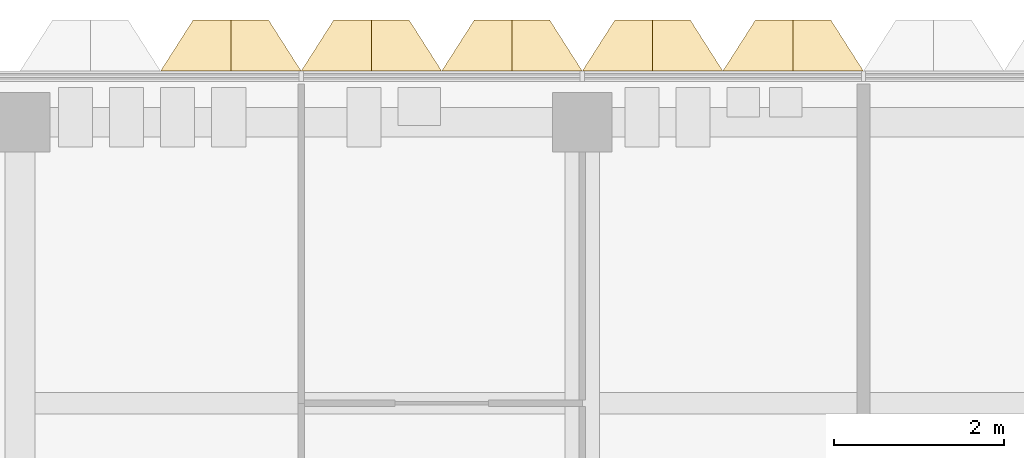
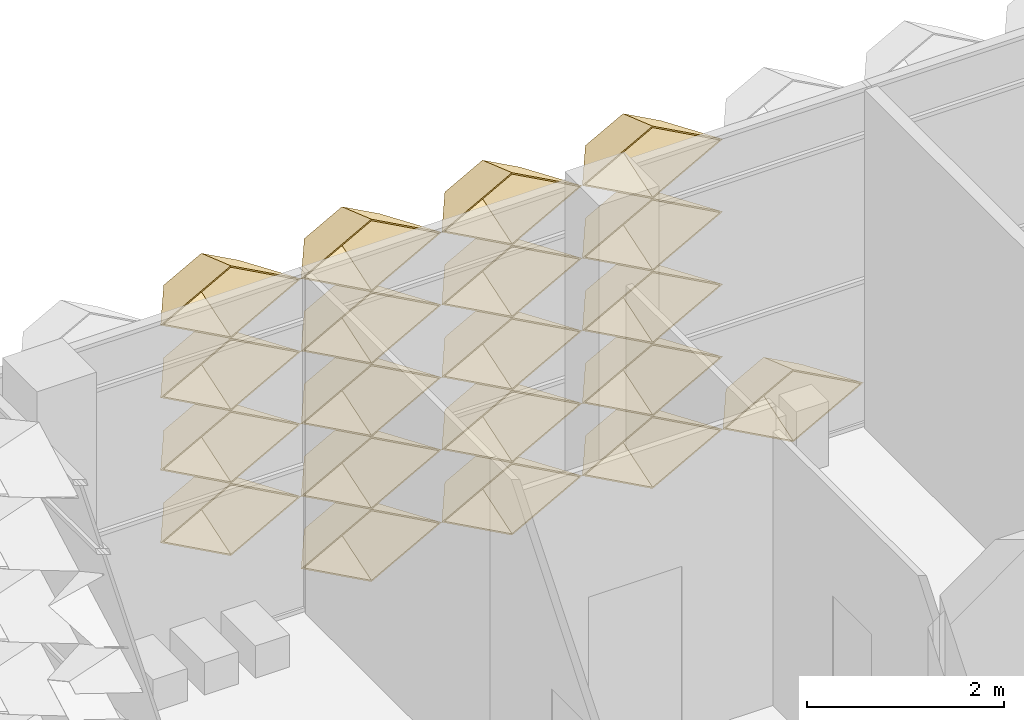
# One storey, part 24 of 28: 20 coverings.
"""IFC4 building model written with IfcOpenShell, lengths in metres."""

from ifc_helpers import new_model, entity, si_unit, direction, frame, origin, place, context, subcontext, project, spatial, material, layer, layer_set, type_object, element, save


model = new_model("IFC4")

# Units and contexts
model_context = context("Model", 3, precision=1e-05, world=origin(), true_north=direction((0.0, 1.0)))
body_context = subcontext(model_context, "Body", "Model", "MODEL_VIEW")
ifc_project = project(units=[si_unit("LENGTHUNIT", "METRE"), si_unit("AREAUNIT", "SQUARE_METRE"), si_unit("VOLUMEUNIT", "CUBIC_METRE"), si_unit("PLANEANGLEUNIT", "RADIAN"), si_unit("MASSUNIT", "GRAM", prefix="KILO")], contexts=[model_context])

# Site, building, storey
site_placement = place(None, origin())
site = spatial("IfcSite", under=ifc_project, at=site_placement, CompositionType="ELEMENT")
building_placement = place(site_placement, origin())
building = spatial("IfcBuilding", under=site, at=building_placement, Name="Lantern Court Research Institute", CompositionType="ELEMENT")
storey_placement = place(building_placement, frame((0.0, 0.0, 36.89990234375)))
storey = spatial("IfcBuildingStorey", under=building, at=storey_placement, Name="L08", CompositionType="ELEMENT", Elevation=36.89990234375)

# Coverings
ifc_material = material(Name="Anodised aluminium", Category="aluminium")
ifc_layer = layer(ifc_material, 0.01611328125)
ifc_layer_set = layer_set([ifc_layer], Name="Anodised aluminium")
covering_type = type_object("IfcCoveringType", Name="Fin cassette 1650 x 900 x 600 aluminium", PredefinedType="CLADDING", material=ifc_layer_set)
covering_1_placement = place(storey_placement, frame((56.925048828125, 23.699951171875, 0.4501953125), z_axis=(0.0, 1.0, 0.0), x_axis=(-1.0, 0.0, 0.0)))
cartesian_point_1 = entity("IfcCartesianPoint", [0.824951171875, 0.0])
cartesian_point_2 = entity("IfcCartesianPoint", [0.79150390625, 0.0])
cartesian_point_3 = entity("IfcCartesianPoint", [0.44189453125, 0.0])
cartesian_point_4 = entity("IfcCartesianPoint", [0.43359375, 0.0])
element("IfcCovering", 1, at=covering_1_placement, inside=storey, type_object=covering_type, Name="Fin cassette V5N-L08 1.35", PredefinedType="CLADDING", context=body_context, shape_type="SweptSolid", body=[
    entity("IfcExtrudedAreaSolidTapered", entity("IfcArbitraryProfileDefWithVoids", "AREA", None, entity("IfcPolyline", [cartesian_point_1, entity("IfcCartesianPoint", [0.0, 0.449951171875]), entity("IfcCartesianPoint", [-0.824951171875, 0.0]), entity("IfcCartesianPoint", [0.0, -0.449951171875]), cartesian_point_1]), [entity("IfcPolyline", [cartesian_point_2, entity("IfcCartesianPoint", [0.0, 0.431884765625]), entity("IfcCartesianPoint", [-0.79150390625, 0.0]), entity("IfcCartesianPoint", [0.0, -0.431884765625]), cartesian_point_2])]), entity("IfcAxis2Placement3D", entity("IfcCartesianPoint", [0.0, 0.0, 0.0])), entity("IfcDirection", [0.0, 0.0, 1.0]), 0.60009765625, entity("IfcArbitraryProfileDefWithVoids", "AREA", None, entity("IfcPolyline", [cartesian_point_3, entity("IfcCartesianPoint", [0.0, 0.240966796875]), entity("IfcCartesianPoint", [-0.44189453125, 0.0]), entity("IfcCartesianPoint", [0.0, -0.240966796875]), cartesian_point_3]), [entity("IfcPolyline", [cartesian_point_4, entity("IfcCartesianPoint", [0.0, 0.236572265625]), entity("IfcCartesianPoint", [-0.43359375, 0.0]), entity("IfcCartesianPoint", [0.0, -0.236572265625]), cartesian_point_4])])),
])
covering_2_placement = place(storey_placement, frame((58.574951171875, 23.699951171875, 0.4501953125), z_axis=(0.0, 1.0, 0.0), x_axis=(-1.0, 0.0, 0.0)))
cartesian_point_5 = entity("IfcCartesianPoint", [0.824951171875, 0.0])
cartesian_point_6 = entity("IfcCartesianPoint", [0.79150390625, 0.0])
cartesian_point_7 = entity("IfcCartesianPoint", [0.44189453125, 0.0])
cartesian_point_8 = entity("IfcCartesianPoint", [0.43359375, 0.0])
element("IfcCovering", 2, at=covering_2_placement, inside=storey, type_object=covering_type, Name="Fin cassette V5N-L08 1.36", PredefinedType="CLADDING", context=body_context, shape_type="SweptSolid", body=[
    entity("IfcExtrudedAreaSolidTapered", entity("IfcArbitraryProfileDefWithVoids", "AREA", None, entity("IfcPolyline", [cartesian_point_5, entity("IfcCartesianPoint", [0.0, 0.449951171875]), entity("IfcCartesianPoint", [-0.824951171875, 0.0]), entity("IfcCartesianPoint", [0.0, -0.449951171875]), cartesian_point_5]), [entity("IfcPolyline", [cartesian_point_6, entity("IfcCartesianPoint", [0.0, 0.431884765625]), entity("IfcCartesianPoint", [-0.79150390625, 0.0]), entity("IfcCartesianPoint", [0.0, -0.431884765625]), cartesian_point_6])]), entity("IfcAxis2Placement3D", entity("IfcCartesianPoint", [0.0, 0.0, 0.0])), entity("IfcDirection", [0.0, 0.0, 1.0]), 0.60009765625, entity("IfcArbitraryProfileDefWithVoids", "AREA", None, entity("IfcPolyline", [cartesian_point_7, entity("IfcCartesianPoint", [0.0, 0.240966796875]), entity("IfcCartesianPoint", [-0.44189453125, 0.0]), entity("IfcCartesianPoint", [0.0, -0.240966796875]), cartesian_point_7]), [entity("IfcPolyline", [cartesian_point_8, entity("IfcCartesianPoint", [0.0, 0.236572265625]), entity("IfcCartesianPoint", [-0.43359375, 0.0]), entity("IfcCartesianPoint", [0.0, -0.236572265625]), cartesian_point_8])])),
])
covering_3_placement = place(storey_placement, frame((60.22509765625, 23.699951171875, 0.4501953125), z_axis=(0.0, 1.0, 0.0), x_axis=(-1.0, 0.0, 0.0)))
cartesian_point_9 = entity("IfcCartesianPoint", [0.824951171875, 0.0])
cartesian_point_10 = entity("IfcCartesianPoint", [0.79150390625, 0.0])
cartesian_point_11 = entity("IfcCartesianPoint", [0.44189453125, 0.0])
cartesian_point_12 = entity("IfcCartesianPoint", [0.43359375, 0.0])
element("IfcCovering", 3, at=covering_3_placement, inside=storey, type_object=covering_type, Name="Fin cassette V5N-L08 1.37", PredefinedType="CLADDING", context=body_context, shape_type="SweptSolid", body=[
    entity("IfcExtrudedAreaSolidTapered", entity("IfcArbitraryProfileDefWithVoids", "AREA", None, entity("IfcPolyline", [cartesian_point_9, entity("IfcCartesianPoint", [0.0, 0.449951171875]), entity("IfcCartesianPoint", [-0.824951171875, 0.0]), entity("IfcCartesianPoint", [0.0, -0.449951171875]), cartesian_point_9]), [entity("IfcPolyline", [cartesian_point_10, entity("IfcCartesianPoint", [0.0, 0.431884765625]), entity("IfcCartesianPoint", [-0.79150390625, 0.0]), entity("IfcCartesianPoint", [0.0, -0.431884765625]), cartesian_point_10])]), entity("IfcAxis2Placement3D", entity("IfcCartesianPoint", [0.0, 0.0, 0.0])), entity("IfcDirection", [0.0, 0.0, 1.0]), 0.60009765625, entity("IfcArbitraryProfileDefWithVoids", "AREA", None, entity("IfcPolyline", [cartesian_point_11, entity("IfcCartesianPoint", [0.0, 0.240966796875]), entity("IfcCartesianPoint", [-0.44189453125, 0.0]), entity("IfcCartesianPoint", [0.0, -0.240966796875]), cartesian_point_11]), [entity("IfcPolyline", [cartesian_point_12, entity("IfcCartesianPoint", [0.0, 0.236572265625]), entity("IfcCartesianPoint", [-0.43359375, 0.0]), entity("IfcCartesianPoint", [0.0, -0.236572265625]), cartesian_point_12])])),
])
covering_4_placement = place(storey_placement, frame((61.875, 23.699951171875, 0.4501953125), z_axis=(0.0, 1.0, 0.0), x_axis=(-1.0, 0.0, 0.0)))
cartesian_point_13 = entity("IfcCartesianPoint", [0.824951171875, 0.0])
cartesian_point_14 = entity("IfcCartesianPoint", [0.79150390625, 0.0])
cartesian_point_15 = entity("IfcCartesianPoint", [0.44189453125, 0.0])
cartesian_point_16 = entity("IfcCartesianPoint", [0.43359375, 0.0])
element("IfcCovering", 4, at=covering_4_placement, inside=storey, type_object=covering_type, Name="Fin cassette V5N-L08 1.38", PredefinedType="CLADDING", context=body_context, shape_type="SweptSolid", body=[
    entity("IfcExtrudedAreaSolidTapered", entity("IfcArbitraryProfileDefWithVoids", "AREA", None, entity("IfcPolyline", [cartesian_point_13, entity("IfcCartesianPoint", [0.0, 0.449951171875]), entity("IfcCartesianPoint", [-0.824951171875, 0.0]), entity("IfcCartesianPoint", [0.0, -0.449951171875]), cartesian_point_13]), [entity("IfcPolyline", [cartesian_point_14, entity("IfcCartesianPoint", [0.0, 0.431884765625]), entity("IfcCartesianPoint", [-0.79150390625, 0.0]), entity("IfcCartesianPoint", [0.0, -0.431884765625]), cartesian_point_14])]), entity("IfcAxis2Placement3D", entity("IfcCartesianPoint", [0.0, 0.0, 0.0])), entity("IfcDirection", [0.0, 0.0, 1.0]), 0.60009765625, entity("IfcArbitraryProfileDefWithVoids", "AREA", None, entity("IfcPolyline", [cartesian_point_15, entity("IfcCartesianPoint", [0.0, 0.240966796875]), entity("IfcCartesianPoint", [-0.44189453125, 0.0]), entity("IfcCartesianPoint", [0.0, -0.240966796875]), cartesian_point_15]), [entity("IfcPolyline", [cartesian_point_16, entity("IfcCartesianPoint", [0.0, 0.236572265625]), entity("IfcCartesianPoint", [-0.43359375, 0.0]), entity("IfcCartesianPoint", [0.0, -0.236572265625]), cartesian_point_16])])),
])
covering_5_placement = place(storey_placement, frame((55.27490234375, 23.699951171875, 1.35009765625), z_axis=(0.0, 1.0, 0.0), x_axis=(-1.0, 0.0, 0.0)))
cartesian_point_17 = entity("IfcCartesianPoint", [0.824951171875, 0.0])
cartesian_point_18 = entity("IfcCartesianPoint", [0.79150390625, 0.0])
cartesian_point_19 = entity("IfcCartesianPoint", [0.44189453125, 0.0])
cartesian_point_20 = entity("IfcCartesianPoint", [0.43359375, 0.0])
element("IfcCovering", 5, at=covering_5_placement, inside=storey, type_object=covering_type, Name="Fin cassette V5N-L08 2.34", PredefinedType="CLADDING", context=body_context, shape_type="SweptSolid", body=[
    entity("IfcExtrudedAreaSolidTapered", entity("IfcArbitraryProfileDefWithVoids", "AREA", None, entity("IfcPolyline", [cartesian_point_17, entity("IfcCartesianPoint", [0.0, 0.449951171875]), entity("IfcCartesianPoint", [-0.824951171875, 0.0]), entity("IfcCartesianPoint", [0.0, -0.449951171875]), cartesian_point_17]), [entity("IfcPolyline", [cartesian_point_18, entity("IfcCartesianPoint", [0.0, 0.431884765625]), entity("IfcCartesianPoint", [-0.79150390625, 0.0]), entity("IfcCartesianPoint", [0.0, -0.431884765625]), cartesian_point_18])]), entity("IfcAxis2Placement3D", entity("IfcCartesianPoint", [0.0, 0.0, 0.0])), entity("IfcDirection", [0.0, 0.0, 1.0]), 0.60009765625, entity("IfcArbitraryProfileDefWithVoids", "AREA", None, entity("IfcPolyline", [cartesian_point_19, entity("IfcCartesianPoint", [0.0, 0.240966796875]), entity("IfcCartesianPoint", [-0.44189453125, 0.0]), entity("IfcCartesianPoint", [0.0, -0.240966796875]), cartesian_point_19]), [entity("IfcPolyline", [cartesian_point_20, entity("IfcCartesianPoint", [0.0, 0.236572265625]), entity("IfcCartesianPoint", [-0.43359375, 0.0]), entity("IfcCartesianPoint", [0.0, -0.236572265625]), cartesian_point_20])])),
])
covering_6_placement = place(storey_placement, frame((56.925048828125, 23.699951171875, 1.35009765625), z_axis=(0.0, 1.0, 0.0), x_axis=(-1.0, 0.0, 0.0)))
cartesian_point_21 = entity("IfcCartesianPoint", [0.824951171875, 0.0])
cartesian_point_22 = entity("IfcCartesianPoint", [0.79150390625, 0.0])
cartesian_point_23 = entity("IfcCartesianPoint", [0.44189453125, 0.0])
cartesian_point_24 = entity("IfcCartesianPoint", [0.43359375, 0.0])
element("IfcCovering", 6, at=covering_6_placement, inside=storey, type_object=covering_type, Name="Fin cassette V5N-L08 2.35", PredefinedType="CLADDING", context=body_context, shape_type="SweptSolid", body=[
    entity("IfcExtrudedAreaSolidTapered", entity("IfcArbitraryProfileDefWithVoids", "AREA", None, entity("IfcPolyline", [cartesian_point_21, entity("IfcCartesianPoint", [0.0, 0.449951171875]), entity("IfcCartesianPoint", [-0.824951171875, 0.0]), entity("IfcCartesianPoint", [0.0, -0.449951171875]), cartesian_point_21]), [entity("IfcPolyline", [cartesian_point_22, entity("IfcCartesianPoint", [0.0, 0.431884765625]), entity("IfcCartesianPoint", [-0.79150390625, 0.0]), entity("IfcCartesianPoint", [0.0, -0.431884765625]), cartesian_point_22])]), entity("IfcAxis2Placement3D", entity("IfcCartesianPoint", [0.0, 0.0, 0.0])), entity("IfcDirection", [0.0, 0.0, 1.0]), 0.60009765625, entity("IfcArbitraryProfileDefWithVoids", "AREA", None, entity("IfcPolyline", [cartesian_point_23, entity("IfcCartesianPoint", [0.0, 0.240966796875]), entity("IfcCartesianPoint", [-0.44189453125, 0.0]), entity("IfcCartesianPoint", [0.0, -0.240966796875]), cartesian_point_23]), [entity("IfcPolyline", [cartesian_point_24, entity("IfcCartesianPoint", [0.0, 0.236572265625]), entity("IfcCartesianPoint", [-0.43359375, 0.0]), entity("IfcCartesianPoint", [0.0, -0.236572265625]), cartesian_point_24])])),
])
covering_7_placement = place(storey_placement, frame((58.574951171875, 23.699951171875, 1.35009765625), z_axis=(0.0, 1.0, 0.0), x_axis=(-1.0, 0.0, 0.0)))
cartesian_point_25 = entity("IfcCartesianPoint", [0.824951171875, 0.0])
cartesian_point_26 = entity("IfcCartesianPoint", [0.79150390625, 0.0])
cartesian_point_27 = entity("IfcCartesianPoint", [0.44189453125, 0.0])
cartesian_point_28 = entity("IfcCartesianPoint", [0.43359375, 0.0])
element("IfcCovering", 7, at=covering_7_placement, inside=storey, type_object=covering_type, Name="Fin cassette V5N-L08 2.36", PredefinedType="CLADDING", context=body_context, shape_type="SweptSolid", body=[
    entity("IfcExtrudedAreaSolidTapered", entity("IfcArbitraryProfileDefWithVoids", "AREA", None, entity("IfcPolyline", [cartesian_point_25, entity("IfcCartesianPoint", [0.0, 0.449951171875]), entity("IfcCartesianPoint", [-0.824951171875, 0.0]), entity("IfcCartesianPoint", [0.0, -0.449951171875]), cartesian_point_25]), [entity("IfcPolyline", [cartesian_point_26, entity("IfcCartesianPoint", [0.0, 0.431884765625]), entity("IfcCartesianPoint", [-0.79150390625, 0.0]), entity("IfcCartesianPoint", [0.0, -0.431884765625]), cartesian_point_26])]), entity("IfcAxis2Placement3D", entity("IfcCartesianPoint", [0.0, 0.0, 0.0])), entity("IfcDirection", [0.0, 0.0, 1.0]), 0.60009765625, entity("IfcArbitraryProfileDefWithVoids", "AREA", None, entity("IfcPolyline", [cartesian_point_27, entity("IfcCartesianPoint", [0.0, 0.240966796875]), entity("IfcCartesianPoint", [-0.44189453125, 0.0]), entity("IfcCartesianPoint", [0.0, -0.240966796875]), cartesian_point_27]), [entity("IfcPolyline", [cartesian_point_28, entity("IfcCartesianPoint", [0.0, 0.236572265625]), entity("IfcCartesianPoint", [-0.43359375, 0.0]), entity("IfcCartesianPoint", [0.0, -0.236572265625]), cartesian_point_28])])),
])
covering_8_placement = place(storey_placement, frame((60.22509765625, 23.699951171875, 1.35009765625), z_axis=(0.0, 1.0, 0.0), x_axis=(-1.0, 0.0, 0.0)))
cartesian_point_29 = entity("IfcCartesianPoint", [0.824951171875, 0.0])
cartesian_point_30 = entity("IfcCartesianPoint", [0.79150390625, 0.0])
cartesian_point_31 = entity("IfcCartesianPoint", [0.44189453125, 0.0])
cartesian_point_32 = entity("IfcCartesianPoint", [0.43359375, 0.0])
element("IfcCovering", 8, at=covering_8_placement, inside=storey, type_object=covering_type, Name="Fin cassette V5N-L08 2.37", PredefinedType="CLADDING", context=body_context, shape_type="SweptSolid", body=[
    entity("IfcExtrudedAreaSolidTapered", entity("IfcArbitraryProfileDefWithVoids", "AREA", None, entity("IfcPolyline", [cartesian_point_29, entity("IfcCartesianPoint", [0.0, 0.449951171875]), entity("IfcCartesianPoint", [-0.824951171875, 0.0]), entity("IfcCartesianPoint", [0.0, -0.449951171875]), cartesian_point_29]), [entity("IfcPolyline", [cartesian_point_30, entity("IfcCartesianPoint", [0.0, 0.431884765625]), entity("IfcCartesianPoint", [-0.79150390625, 0.0]), entity("IfcCartesianPoint", [0.0, -0.431884765625]), cartesian_point_30])]), entity("IfcAxis2Placement3D", entity("IfcCartesianPoint", [0.0, 0.0, 0.0])), entity("IfcDirection", [0.0, 0.0, 1.0]), 0.60009765625, entity("IfcArbitraryProfileDefWithVoids", "AREA", None, entity("IfcPolyline", [cartesian_point_31, entity("IfcCartesianPoint", [0.0, 0.240966796875]), entity("IfcCartesianPoint", [-0.44189453125, 0.0]), entity("IfcCartesianPoint", [0.0, -0.240966796875]), cartesian_point_31]), [entity("IfcPolyline", [cartesian_point_32, entity("IfcCartesianPoint", [0.0, 0.236572265625]), entity("IfcCartesianPoint", [-0.43359375, 0.0]), entity("IfcCartesianPoint", [0.0, -0.236572265625]), cartesian_point_32])])),
])
covering_9_placement = place(storey_placement, frame((55.27490234375, 23.699951171875, 2.25), z_axis=(0.0, 1.0, 0.0), x_axis=(-1.0, 0.0, 0.0)))
cartesian_point_33 = entity("IfcCartesianPoint", [0.824951171875, 0.0])
cartesian_point_34 = entity("IfcCartesianPoint", [0.79150390625, 0.0])
cartesian_point_35 = entity("IfcCartesianPoint", [0.44189453125, 0.0])
cartesian_point_36 = entity("IfcCartesianPoint", [0.43359375, 0.0])
element("IfcCovering", 9, at=covering_9_placement, inside=storey, type_object=covering_type, Name="Fin cassette V5N-L08 3.34", PredefinedType="CLADDING", context=body_context, shape_type="SweptSolid", body=[
    entity("IfcExtrudedAreaSolidTapered", entity("IfcArbitraryProfileDefWithVoids", "AREA", None, entity("IfcPolyline", [cartesian_point_33, entity("IfcCartesianPoint", [0.0, 0.449951171875]), entity("IfcCartesianPoint", [-0.824951171875, 0.0]), entity("IfcCartesianPoint", [0.0, -0.449951171875]), cartesian_point_33]), [entity("IfcPolyline", [cartesian_point_34, entity("IfcCartesianPoint", [0.0, 0.431884765625]), entity("IfcCartesianPoint", [-0.79150390625, 0.0]), entity("IfcCartesianPoint", [0.0, -0.431884765625]), cartesian_point_34])]), entity("IfcAxis2Placement3D", entity("IfcCartesianPoint", [0.0, 0.0, 0.0])), entity("IfcDirection", [0.0, 0.0, 1.0]), 0.60009765625, entity("IfcArbitraryProfileDefWithVoids", "AREA", None, entity("IfcPolyline", [cartesian_point_35, entity("IfcCartesianPoint", [0.0, 0.240966796875]), entity("IfcCartesianPoint", [-0.44189453125, 0.0]), entity("IfcCartesianPoint", [0.0, -0.240966796875]), cartesian_point_35]), [entity("IfcPolyline", [cartesian_point_36, entity("IfcCartesianPoint", [0.0, 0.236572265625]), entity("IfcCartesianPoint", [-0.43359375, 0.0]), entity("IfcCartesianPoint", [0.0, -0.236572265625]), cartesian_point_36])])),
])
covering_10_placement = place(storey_placement, frame((56.925048828125, 23.699951171875, 2.25), z_axis=(0.0, 1.0, 0.0), x_axis=(-1.0, 0.0, 0.0)))
cartesian_point_37 = entity("IfcCartesianPoint", [0.824951171875, 0.0])
cartesian_point_38 = entity("IfcCartesianPoint", [0.79150390625, 0.0])
cartesian_point_39 = entity("IfcCartesianPoint", [0.44189453125, 0.0])
cartesian_point_40 = entity("IfcCartesianPoint", [0.43359375, 0.0])
element("IfcCovering", 10, at=covering_10_placement, inside=storey, type_object=covering_type, Name="Fin cassette V5N-L08 3.35", PredefinedType="CLADDING", context=body_context, shape_type="SweptSolid", body=[
    entity("IfcExtrudedAreaSolidTapered", entity("IfcArbitraryProfileDefWithVoids", "AREA", None, entity("IfcPolyline", [cartesian_point_37, entity("IfcCartesianPoint", [0.0, 0.449951171875]), entity("IfcCartesianPoint", [-0.824951171875, 0.0]), entity("IfcCartesianPoint", [0.0, -0.449951171875]), cartesian_point_37]), [entity("IfcPolyline", [cartesian_point_38, entity("IfcCartesianPoint", [0.0, 0.431884765625]), entity("IfcCartesianPoint", [-0.79150390625, 0.0]), entity("IfcCartesianPoint", [0.0, -0.431884765625]), cartesian_point_38])]), entity("IfcAxis2Placement3D", entity("IfcCartesianPoint", [0.0, 0.0, 0.0])), entity("IfcDirection", [0.0, 0.0, 1.0]), 0.60009765625, entity("IfcArbitraryProfileDefWithVoids", "AREA", None, entity("IfcPolyline", [cartesian_point_39, entity("IfcCartesianPoint", [0.0, 0.240966796875]), entity("IfcCartesianPoint", [-0.44189453125, 0.0]), entity("IfcCartesianPoint", [0.0, -0.240966796875]), cartesian_point_39]), [entity("IfcPolyline", [cartesian_point_40, entity("IfcCartesianPoint", [0.0, 0.236572265625]), entity("IfcCartesianPoint", [-0.43359375, 0.0]), entity("IfcCartesianPoint", [0.0, -0.236572265625]), cartesian_point_40])])),
])
covering_11_placement = place(storey_placement, frame((58.574951171875, 23.699951171875, 2.25), z_axis=(0.0, 1.0, 0.0), x_axis=(-1.0, 0.0, 0.0)))
cartesian_point_41 = entity("IfcCartesianPoint", [0.824951171875, 0.0])
cartesian_point_42 = entity("IfcCartesianPoint", [0.79150390625, 0.0])
cartesian_point_43 = entity("IfcCartesianPoint", [0.44189453125, 0.0])
cartesian_point_44 = entity("IfcCartesianPoint", [0.43359375, 0.0])
element("IfcCovering", 11, at=covering_11_placement, inside=storey, type_object=covering_type, Name="Fin cassette V5N-L08 3.36", PredefinedType="CLADDING", context=body_context, shape_type="SweptSolid", body=[
    entity("IfcExtrudedAreaSolidTapered", entity("IfcArbitraryProfileDefWithVoids", "AREA", None, entity("IfcPolyline", [cartesian_point_41, entity("IfcCartesianPoint", [0.0, 0.449951171875]), entity("IfcCartesianPoint", [-0.824951171875, 0.0]), entity("IfcCartesianPoint", [0.0, -0.449951171875]), cartesian_point_41]), [entity("IfcPolyline", [cartesian_point_42, entity("IfcCartesianPoint", [0.0, 0.431884765625]), entity("IfcCartesianPoint", [-0.79150390625, 0.0]), entity("IfcCartesianPoint", [0.0, -0.431884765625]), cartesian_point_42])]), entity("IfcAxis2Placement3D", entity("IfcCartesianPoint", [0.0, 0.0, 0.0])), entity("IfcDirection", [0.0, 0.0, 1.0]), 0.60009765625, entity("IfcArbitraryProfileDefWithVoids", "AREA", None, entity("IfcPolyline", [cartesian_point_43, entity("IfcCartesianPoint", [0.0, 0.240966796875]), entity("IfcCartesianPoint", [-0.44189453125, 0.0]), entity("IfcCartesianPoint", [0.0, -0.240966796875]), cartesian_point_43]), [entity("IfcPolyline", [cartesian_point_44, entity("IfcCartesianPoint", [0.0, 0.236572265625]), entity("IfcCartesianPoint", [-0.43359375, 0.0]), entity("IfcCartesianPoint", [0.0, -0.236572265625]), cartesian_point_44])])),
])
covering_12_placement = place(storey_placement, frame((60.22509765625, 23.699951171875, 2.25), z_axis=(0.0, 1.0, 0.0), x_axis=(-1.0, 0.0, 0.0)))
cartesian_point_45 = entity("IfcCartesianPoint", [0.824951171875, 0.0])
cartesian_point_46 = entity("IfcCartesianPoint", [0.79150390625, 0.0])
cartesian_point_47 = entity("IfcCartesianPoint", [0.44189453125, 0.0])
cartesian_point_48 = entity("IfcCartesianPoint", [0.43359375, 0.0])
element("IfcCovering", 12, at=covering_12_placement, inside=storey, type_object=covering_type, Name="Fin cassette V5N-L08 3.37", PredefinedType="CLADDING", context=body_context, shape_type="SweptSolid", body=[
    entity("IfcExtrudedAreaSolidTapered", entity("IfcArbitraryProfileDefWithVoids", "AREA", None, entity("IfcPolyline", [cartesian_point_45, entity("IfcCartesianPoint", [0.0, 0.449951171875]), entity("IfcCartesianPoint", [-0.824951171875, 0.0]), entity("IfcCartesianPoint", [0.0, -0.449951171875]), cartesian_point_45]), [entity("IfcPolyline", [cartesian_point_46, entity("IfcCartesianPoint", [0.0, 0.431884765625]), entity("IfcCartesianPoint", [-0.79150390625, 0.0]), entity("IfcCartesianPoint", [0.0, -0.431884765625]), cartesian_point_46])]), entity("IfcAxis2Placement3D", entity("IfcCartesianPoint", [0.0, 0.0, 0.0])), entity("IfcDirection", [0.0, 0.0, 1.0]), 0.60009765625, entity("IfcArbitraryProfileDefWithVoids", "AREA", None, entity("IfcPolyline", [cartesian_point_47, entity("IfcCartesianPoint", [0.0, 0.240966796875]), entity("IfcCartesianPoint", [-0.44189453125, 0.0]), entity("IfcCartesianPoint", [0.0, -0.240966796875]), cartesian_point_47]), [entity("IfcPolyline", [cartesian_point_48, entity("IfcCartesianPoint", [0.0, 0.236572265625]), entity("IfcCartesianPoint", [-0.43359375, 0.0]), entity("IfcCartesianPoint", [0.0, -0.236572265625]), cartesian_point_48])])),
])
covering_13_placement = place(storey_placement, frame((55.27490234375, 23.699951171875, 3.150146484375), z_axis=(0.0, 1.0, 0.0), x_axis=(-1.0, 0.0, 0.0)))
cartesian_point_49 = entity("IfcCartesianPoint", [0.824951171875, 0.0])
cartesian_point_50 = entity("IfcCartesianPoint", [0.79150390625, 0.0])
cartesian_point_51 = entity("IfcCartesianPoint", [0.44189453125, 0.0])
cartesian_point_52 = entity("IfcCartesianPoint", [0.43359375, 0.0])
element("IfcCovering", 13, at=covering_13_placement, inside=storey, type_object=covering_type, Name="Fin cassette V5N-L08 4.34", PredefinedType="CLADDING", context=body_context, shape_type="SweptSolid", body=[
    entity("IfcExtrudedAreaSolidTapered", entity("IfcArbitraryProfileDefWithVoids", "AREA", None, entity("IfcPolyline", [cartesian_point_49, entity("IfcCartesianPoint", [0.0, 0.449951171875]), entity("IfcCartesianPoint", [-0.824951171875, 0.0]), entity("IfcCartesianPoint", [0.0, -0.449951171875]), cartesian_point_49]), [entity("IfcPolyline", [cartesian_point_50, entity("IfcCartesianPoint", [0.0, 0.431884765625]), entity("IfcCartesianPoint", [-0.79150390625, 0.0]), entity("IfcCartesianPoint", [0.0, -0.431884765625]), cartesian_point_50])]), entity("IfcAxis2Placement3D", entity("IfcCartesianPoint", [0.0, 0.0, 0.0])), entity("IfcDirection", [0.0, 0.0, 1.0]), 0.60009765625, entity("IfcArbitraryProfileDefWithVoids", "AREA", None, entity("IfcPolyline", [cartesian_point_51, entity("IfcCartesianPoint", [0.0, 0.240966796875]), entity("IfcCartesianPoint", [-0.44189453125, 0.0]), entity("IfcCartesianPoint", [0.0, -0.240966796875]), cartesian_point_51]), [entity("IfcPolyline", [cartesian_point_52, entity("IfcCartesianPoint", [0.0, 0.236572265625]), entity("IfcCartesianPoint", [-0.43359375, 0.0]), entity("IfcCartesianPoint", [0.0, -0.236572265625]), cartesian_point_52])])),
])
covering_14_placement = place(storey_placement, frame((56.925048828125, 23.699951171875, 3.150146484375), z_axis=(0.0, 1.0, 0.0), x_axis=(-1.0, 0.0, 0.0)))
cartesian_point_53 = entity("IfcCartesianPoint", [0.824951171875, 0.0])
cartesian_point_54 = entity("IfcCartesianPoint", [0.79150390625, 0.0])
cartesian_point_55 = entity("IfcCartesianPoint", [0.44189453125, 0.0])
cartesian_point_56 = entity("IfcCartesianPoint", [0.43359375, 0.0])
element("IfcCovering", 14, at=covering_14_placement, inside=storey, type_object=covering_type, Name="Fin cassette V5N-L08 4.35", PredefinedType="CLADDING", context=body_context, shape_type="SweptSolid", body=[
    entity("IfcExtrudedAreaSolidTapered", entity("IfcArbitraryProfileDefWithVoids", "AREA", None, entity("IfcPolyline", [cartesian_point_53, entity("IfcCartesianPoint", [0.0, 0.449951171875]), entity("IfcCartesianPoint", [-0.824951171875, 0.0]), entity("IfcCartesianPoint", [0.0, -0.449951171875]), cartesian_point_53]), [entity("IfcPolyline", [cartesian_point_54, entity("IfcCartesianPoint", [0.0, 0.431884765625]), entity("IfcCartesianPoint", [-0.79150390625, 0.0]), entity("IfcCartesianPoint", [0.0, -0.431884765625]), cartesian_point_54])]), entity("IfcAxis2Placement3D", entity("IfcCartesianPoint", [0.0, 0.0, 0.0])), entity("IfcDirection", [0.0, 0.0, 1.0]), 0.60009765625, entity("IfcArbitraryProfileDefWithVoids", "AREA", None, entity("IfcPolyline", [cartesian_point_55, entity("IfcCartesianPoint", [0.0, 0.240966796875]), entity("IfcCartesianPoint", [-0.44189453125, 0.0]), entity("IfcCartesianPoint", [0.0, -0.240966796875]), cartesian_point_55]), [entity("IfcPolyline", [cartesian_point_56, entity("IfcCartesianPoint", [0.0, 0.236572265625]), entity("IfcCartesianPoint", [-0.43359375, 0.0]), entity("IfcCartesianPoint", [0.0, -0.236572265625]), cartesian_point_56])])),
])
covering_15_placement = place(storey_placement, frame((58.574951171875, 23.699951171875, 3.150146484375), z_axis=(0.0, 1.0, 0.0), x_axis=(-1.0, 0.0, 0.0)))
cartesian_point_57 = entity("IfcCartesianPoint", [0.824951171875, 0.0])
cartesian_point_58 = entity("IfcCartesianPoint", [0.79150390625, 0.0])
cartesian_point_59 = entity("IfcCartesianPoint", [0.44189453125, 0.0])
cartesian_point_60 = entity("IfcCartesianPoint", [0.43359375, 0.0])
element("IfcCovering", 15, at=covering_15_placement, inside=storey, type_object=covering_type, Name="Fin cassette V5N-L08 4.36", PredefinedType="CLADDING", context=body_context, shape_type="SweptSolid", body=[
    entity("IfcExtrudedAreaSolidTapered", entity("IfcArbitraryProfileDefWithVoids", "AREA", None, entity("IfcPolyline", [cartesian_point_57, entity("IfcCartesianPoint", [0.0, 0.449951171875]), entity("IfcCartesianPoint", [-0.824951171875, 0.0]), entity("IfcCartesianPoint", [0.0, -0.449951171875]), cartesian_point_57]), [entity("IfcPolyline", [cartesian_point_58, entity("IfcCartesianPoint", [0.0, 0.431884765625]), entity("IfcCartesianPoint", [-0.79150390625, 0.0]), entity("IfcCartesianPoint", [0.0, -0.431884765625]), cartesian_point_58])]), entity("IfcAxis2Placement3D", entity("IfcCartesianPoint", [0.0, 0.0, 0.0])), entity("IfcDirection", [0.0, 0.0, 1.0]), 0.60009765625, entity("IfcArbitraryProfileDefWithVoids", "AREA", None, entity("IfcPolyline", [cartesian_point_59, entity("IfcCartesianPoint", [0.0, 0.240966796875]), entity("IfcCartesianPoint", [-0.44189453125, 0.0]), entity("IfcCartesianPoint", [0.0, -0.240966796875]), cartesian_point_59]), [entity("IfcPolyline", [cartesian_point_60, entity("IfcCartesianPoint", [0.0, 0.236572265625]), entity("IfcCartesianPoint", [-0.43359375, 0.0]), entity("IfcCartesianPoint", [0.0, -0.236572265625]), cartesian_point_60])])),
])
covering_16_placement = place(storey_placement, frame((60.22509765625, 23.699951171875, 3.150146484375), z_axis=(0.0, 1.0, 0.0), x_axis=(-1.0, 0.0, 0.0)))
cartesian_point_61 = entity("IfcCartesianPoint", [0.824951171875, 0.0])
cartesian_point_62 = entity("IfcCartesianPoint", [0.79150390625, 0.0])
cartesian_point_63 = entity("IfcCartesianPoint", [0.44189453125, 0.0])
cartesian_point_64 = entity("IfcCartesianPoint", [0.43359375, 0.0])
element("IfcCovering", 16, at=covering_16_placement, inside=storey, type_object=covering_type, Name="Fin cassette V5N-L08 4.37", PredefinedType="CLADDING", context=body_context, shape_type="SweptSolid", body=[
    entity("IfcExtrudedAreaSolidTapered", entity("IfcArbitraryProfileDefWithVoids", "AREA", None, entity("IfcPolyline", [cartesian_point_61, entity("IfcCartesianPoint", [0.0, 0.449951171875]), entity("IfcCartesianPoint", [-0.824951171875, 0.0]), entity("IfcCartesianPoint", [0.0, -0.449951171875]), cartesian_point_61]), [entity("IfcPolyline", [cartesian_point_62, entity("IfcCartesianPoint", [0.0, 0.431884765625]), entity("IfcCartesianPoint", [-0.79150390625, 0.0]), entity("IfcCartesianPoint", [0.0, -0.431884765625]), cartesian_point_62])]), entity("IfcAxis2Placement3D", entity("IfcCartesianPoint", [0.0, 0.0, 0.0])), entity("IfcDirection", [0.0, 0.0, 1.0]), 0.60009765625, entity("IfcArbitraryProfileDefWithVoids", "AREA", None, entity("IfcPolyline", [cartesian_point_63, entity("IfcCartesianPoint", [0.0, 0.240966796875]), entity("IfcCartesianPoint", [-0.44189453125, 0.0]), entity("IfcCartesianPoint", [0.0, -0.240966796875]), cartesian_point_63]), [entity("IfcPolyline", [cartesian_point_64, entity("IfcCartesianPoint", [0.0, 0.236572265625]), entity("IfcCartesianPoint", [-0.43359375, 0.0]), entity("IfcCartesianPoint", [0.0, -0.236572265625]), cartesian_point_64])])),
])
covering_17_placement = place(storey_placement, frame((55.27490234375, 23.699951171875, 4.050048828125), z_axis=(0.0, 1.0, 0.0), x_axis=(-1.0, 0.0, 0.0)))
cartesian_point_65 = entity("IfcCartesianPoint", [0.824951171875, 0.0])
cartesian_point_66 = entity("IfcCartesianPoint", [0.79150390625, 0.0])
cartesian_point_67 = entity("IfcCartesianPoint", [0.44189453125, 0.0])
cartesian_point_68 = entity("IfcCartesianPoint", [0.43359375, 0.0])
element("IfcCovering", 17, at=covering_17_placement, inside=storey, type_object=covering_type, Name="Fin cassette V5N-L08 5.34", PredefinedType="CLADDING", context=body_context, shape_type="SweptSolid", body=[
    entity("IfcExtrudedAreaSolidTapered", entity("IfcArbitraryProfileDefWithVoids", "AREA", None, entity("IfcPolyline", [cartesian_point_65, entity("IfcCartesianPoint", [0.0, 0.449951171875]), entity("IfcCartesianPoint", [-0.824951171875, 0.0]), entity("IfcCartesianPoint", [0.0, -0.449951171875]), cartesian_point_65]), [entity("IfcPolyline", [cartesian_point_66, entity("IfcCartesianPoint", [0.0, 0.431884765625]), entity("IfcCartesianPoint", [-0.79150390625, 0.0]), entity("IfcCartesianPoint", [0.0, -0.431884765625]), cartesian_point_66])]), entity("IfcAxis2Placement3D", entity("IfcCartesianPoint", [0.0, 0.0, 0.0])), entity("IfcDirection", [0.0, 0.0, 1.0]), 0.60009765625, entity("IfcArbitraryProfileDefWithVoids", "AREA", None, entity("IfcPolyline", [cartesian_point_67, entity("IfcCartesianPoint", [0.0, 0.240966796875]), entity("IfcCartesianPoint", [-0.44189453125, 0.0]), entity("IfcCartesianPoint", [0.0, -0.240966796875]), cartesian_point_67]), [entity("IfcPolyline", [cartesian_point_68, entity("IfcCartesianPoint", [0.0, 0.236572265625]), entity("IfcCartesianPoint", [-0.43359375, 0.0]), entity("IfcCartesianPoint", [0.0, -0.236572265625]), cartesian_point_68])])),
])
covering_18_placement = place(storey_placement, frame((56.925048828125, 23.699951171875, 4.050048828125), z_axis=(0.0, 1.0, 0.0), x_axis=(-1.0, 0.0, 0.0)))
cartesian_point_69 = entity("IfcCartesianPoint", [0.824951171875, 0.0])
cartesian_point_70 = entity("IfcCartesianPoint", [0.79150390625, 0.0])
cartesian_point_71 = entity("IfcCartesianPoint", [0.44189453125, 0.0])
cartesian_point_72 = entity("IfcCartesianPoint", [0.43359375, 0.0])
element("IfcCovering", 18, at=covering_18_placement, inside=storey, type_object=covering_type, Name="Fin cassette V5N-L08 5.35", PredefinedType="CLADDING", context=body_context, shape_type="SweptSolid", body=[
    entity("IfcExtrudedAreaSolidTapered", entity("IfcArbitraryProfileDefWithVoids", "AREA", None, entity("IfcPolyline", [cartesian_point_69, entity("IfcCartesianPoint", [0.0, 0.449951171875]), entity("IfcCartesianPoint", [-0.824951171875, 0.0]), entity("IfcCartesianPoint", [0.0, -0.449951171875]), cartesian_point_69]), [entity("IfcPolyline", [cartesian_point_70, entity("IfcCartesianPoint", [0.0, 0.431884765625]), entity("IfcCartesianPoint", [-0.79150390625, 0.0]), entity("IfcCartesianPoint", [0.0, -0.431884765625]), cartesian_point_70])]), entity("IfcAxis2Placement3D", entity("IfcCartesianPoint", [0.0, 0.0, 0.0])), entity("IfcDirection", [0.0, 0.0, 1.0]), 0.60009765625, entity("IfcArbitraryProfileDefWithVoids", "AREA", None, entity("IfcPolyline", [cartesian_point_71, entity("IfcCartesianPoint", [0.0, 0.240966796875]), entity("IfcCartesianPoint", [-0.44189453125, 0.0]), entity("IfcCartesianPoint", [0.0, -0.240966796875]), cartesian_point_71]), [entity("IfcPolyline", [cartesian_point_72, entity("IfcCartesianPoint", [0.0, 0.236572265625]), entity("IfcCartesianPoint", [-0.43359375, 0.0]), entity("IfcCartesianPoint", [0.0, -0.236572265625]), cartesian_point_72])])),
])
covering_19_placement = place(storey_placement, frame((58.574951171875, 23.699951171875, 4.050048828125), z_axis=(0.0, 1.0, 0.0), x_axis=(-1.0, 0.0, 0.0)))
cartesian_point_73 = entity("IfcCartesianPoint", [0.824951171875, 0.0])
cartesian_point_74 = entity("IfcCartesianPoint", [0.79150390625, 0.0])
cartesian_point_75 = entity("IfcCartesianPoint", [0.44189453125, 0.0])
cartesian_point_76 = entity("IfcCartesianPoint", [0.43359375, 0.0])
element("IfcCovering", 19, at=covering_19_placement, inside=storey, type_object=covering_type, Name="Fin cassette V5N-L08 5.36", PredefinedType="CLADDING", context=body_context, shape_type="SweptSolid", body=[
    entity("IfcExtrudedAreaSolidTapered", entity("IfcArbitraryProfileDefWithVoids", "AREA", None, entity("IfcPolyline", [cartesian_point_73, entity("IfcCartesianPoint", [0.0, 0.449951171875]), entity("IfcCartesianPoint", [-0.824951171875, 0.0]), entity("IfcCartesianPoint", [0.0, -0.449951171875]), cartesian_point_73]), [entity("IfcPolyline", [cartesian_point_74, entity("IfcCartesianPoint", [0.0, 0.431884765625]), entity("IfcCartesianPoint", [-0.79150390625, 0.0]), entity("IfcCartesianPoint", [0.0, -0.431884765625]), cartesian_point_74])]), entity("IfcAxis2Placement3D", entity("IfcCartesianPoint", [0.0, 0.0, 0.0])), entity("IfcDirection", [0.0, 0.0, 1.0]), 0.60009765625, entity("IfcArbitraryProfileDefWithVoids", "AREA", None, entity("IfcPolyline", [cartesian_point_75, entity("IfcCartesianPoint", [0.0, 0.240966796875]), entity("IfcCartesianPoint", [-0.44189453125, 0.0]), entity("IfcCartesianPoint", [0.0, -0.240966796875]), cartesian_point_75]), [entity("IfcPolyline", [cartesian_point_76, entity("IfcCartesianPoint", [0.0, 0.236572265625]), entity("IfcCartesianPoint", [-0.43359375, 0.0]), entity("IfcCartesianPoint", [0.0, -0.236572265625]), cartesian_point_76])])),
])
covering_20_placement = place(storey_placement, frame((60.22509765625, 23.699951171875, 4.050048828125), z_axis=(0.0, 1.0, 0.0), x_axis=(-1.0, 0.0, 0.0)))
cartesian_point_77 = entity("IfcCartesianPoint", [0.824951171875, 0.0])
cartesian_point_78 = entity("IfcCartesianPoint", [0.79150390625, 0.0])
cartesian_point_79 = entity("IfcCartesianPoint", [0.44189453125, 0.0])
cartesian_point_80 = entity("IfcCartesianPoint", [0.43359375, 0.0])
element("IfcCovering", 20, at=covering_20_placement, inside=storey, type_object=covering_type, Name="Fin cassette V5N-L08 5.37", PredefinedType="CLADDING", context=body_context, shape_type="SweptSolid", body=[
    entity("IfcExtrudedAreaSolidTapered", entity("IfcArbitraryProfileDefWithVoids", "AREA", None, entity("IfcPolyline", [cartesian_point_77, entity("IfcCartesianPoint", [0.0, 0.449951171875]), entity("IfcCartesianPoint", [-0.824951171875, 0.0]), entity("IfcCartesianPoint", [0.0, -0.449951171875]), cartesian_point_77]), [entity("IfcPolyline", [cartesian_point_78, entity("IfcCartesianPoint", [0.0, 0.431884765625]), entity("IfcCartesianPoint", [-0.79150390625, 0.0]), entity("IfcCartesianPoint", [0.0, -0.431884765625]), cartesian_point_78])]), entity("IfcAxis2Placement3D", entity("IfcCartesianPoint", [0.0, 0.0, 0.0])), entity("IfcDirection", [0.0, 0.0, 1.0]), 0.60009765625, entity("IfcArbitraryProfileDefWithVoids", "AREA", None, entity("IfcPolyline", [cartesian_point_79, entity("IfcCartesianPoint", [0.0, 0.240966796875]), entity("IfcCartesianPoint", [-0.44189453125, 0.0]), entity("IfcCartesianPoint", [0.0, -0.240966796875]), cartesian_point_79]), [entity("IfcPolyline", [cartesian_point_80, entity("IfcCartesianPoint", [0.0, 0.236572265625]), entity("IfcCartesianPoint", [-0.43359375, 0.0]), entity("IfcCartesianPoint", [0.0, -0.236572265625]), cartesian_point_80])])),
])

save(model, "model.ifc")
